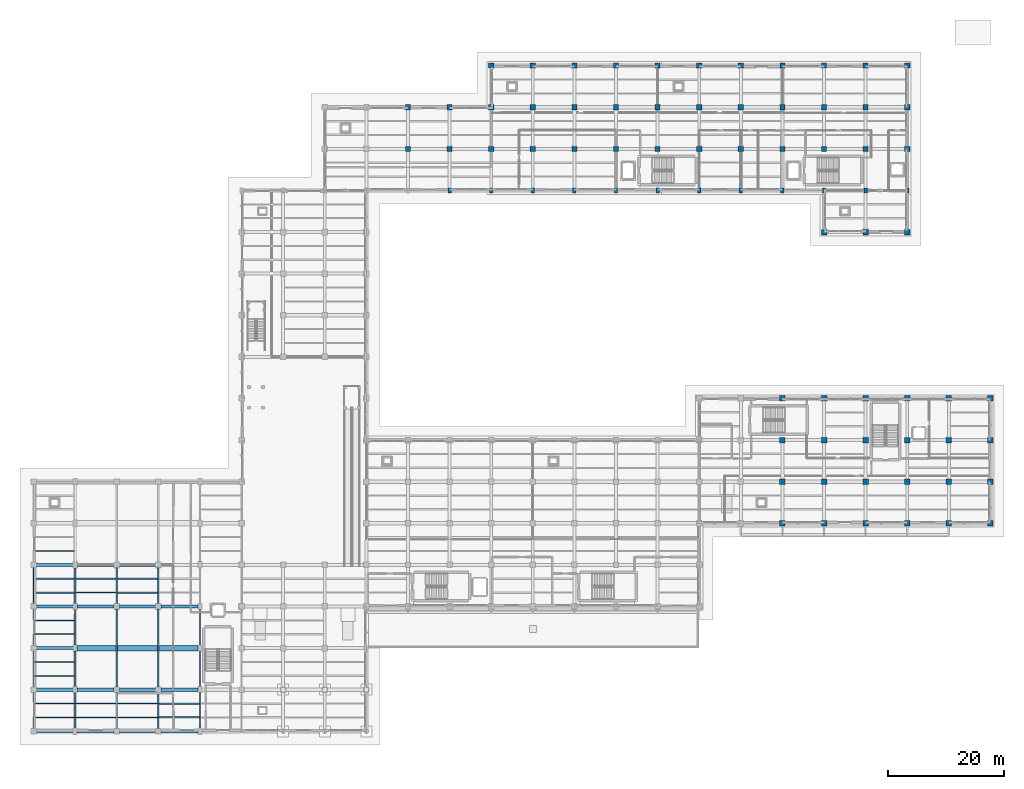
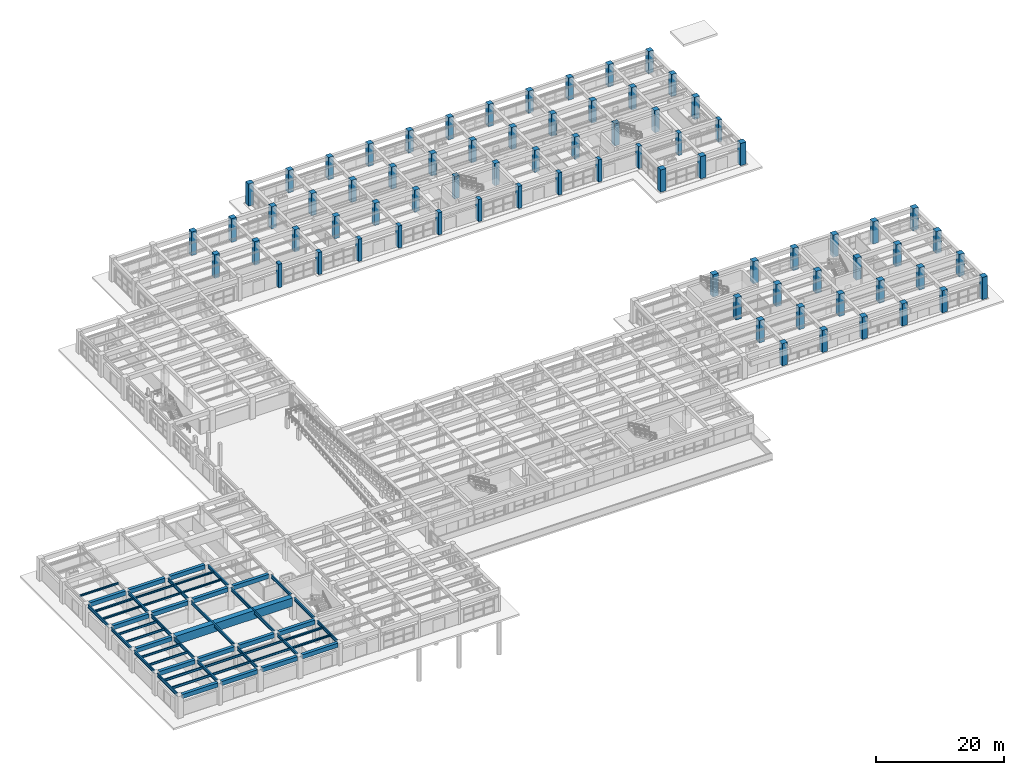
# One storey, part 5 of 64: 76 columns, 53 beams.
"""IFC4 building model written with IfcOpenShell, lengths in metres."""

from ifc_helpers import new_model, si_unit, direction, frame, origin, origin_2d, place, context, subcontext, project, spatial, rectangle, i_section, extrude, material, material_profile, profile_set, type_object, element, save


model = new_model("IFC4")

# Units and contexts
model_context = context("Model", 3, precision=1e-05, world=origin(), true_north=direction((0.0, 1.0)))
body_context = subcontext(model_context, "Body", "Model", "MODEL_VIEW")
ifc_project = project(units=[si_unit("LENGTHUNIT", "METRE"), si_unit("AREAUNIT", "SQUARE_METRE"), si_unit("VOLUMEUNIT", "CUBIC_METRE"), si_unit("PLANEANGLEUNIT", "RADIAN"), si_unit("MASSUNIT", "GRAM", prefix="KILO")], contexts=[model_context])

# Site, building, storey
site_placement = place(None, origin())
site = spatial("IfcSite", under=ifc_project, at=site_placement, CompositionType="ELEMENT")
building_placement = place(site_placement, origin())
building = spatial("IfcBuilding", under=site, at=building_placement, Name="Solenvale Faculty of Natural Sciences", CompositionType="ELEMENT")
storey_placement = place(building_placement, origin())
storey = spatial("IfcBuildingStorey", under=building, at=storey_placement, Name="L00", CompositionType="ELEMENT", Elevation=0.0)

# Columns
ifc_material_1 = material(Name="Concrete 50 MPa", Category="concrete")
ifc_material_profile_1 = material_profile(ifc_material_1, rectangle(XDim=0.60009765625, YDim=0.89990234375, at=origin_2d()), Name="RC-COL-600x900")
ifc_profile_set_1 = profile_set([ifc_material_profile_1], Name="Concrete 50 MPa")
column_type_1 = type_object("IfcColumnType", Name="COL-RC-600x900", PredefinedType="COLUMN", material=ifc_profile_set_1)
column_placement = place(storey_placement, frame((72.0, 93.60009765625, 0.0), z_axis=(0.0, 0.0, 1.0), x_axis=(1.0, 0.0, 0.0)))
element("IfcColumn", 1, at=column_placement, inside=storey, type_object=column_type_1, Name="L00 Column (72.0, 93.6)", PredefinedType="COLUMN", context=body_context, shape_type="SweptSolid", body=[
    extrude(rectangle(XDim=0.60009765625, YDim=0.89990234375, at=origin_2d()), origin(), (0.0, 0.0, 1.0), 4.5),
])
for number, where, z_axis, x_axis, name in (
    (2, (79.199951171875, 93.60009765625, 0.0), (0.0, 0.0, 1.0), (1.0, 0.0, 0.0), "L00 Column (79.2, 93.6)"),
    (3, (86.39990234375, 93.60009765625, 0.0), (0.0, 0.0, 1.0), (1.0, 0.0, 0.0), "L00 Column (86.4, 93.6)"),
    (4, (93.60009765625, 93.60009765625, 0.0), (0.0, 0.0, 1.0), (1.0, 0.0, 0.0), "L00 Column (93.6, 93.6)"),
    (5, (100.800048828125, 93.60009765625, 0.0), (0.0, 0.0, 1.0), (1.0, 0.0, 0.0), "L00 Column (100.8, 93.6)"),
    (6, (108.0, 93.60009765625, 0.0), (0.0, 0.0, 1.0), (1.0, 0.0, 0.0), "L00 Column (108.0, 93.6)"),
    (7, (115.199951171875, 93.60009765625, 0.0), (0.0, 0.0, 1.0), (1.0, 0.0, 0.0), "L00 Column (115.2, 93.6)"),
    (8, (122.39990234375, 93.60009765625, 0.0), (0.0, 0.0, 1.0), (1.0, 0.0, 0.0), "L00 Column (122.4, 93.6)"),
    (9, (129.60009765625, 93.60009765625, 0.0), (0.0, 0.0, 1.0), (1.0, 0.0, 0.0), "L00 Column (129.6, 93.6)"),
    (10, (136.800048828125, 93.60009765625, 0.0), (0.0, 0.0, 1.0), (1.0, 0.0, 0.0), "L00 Column (136.8, 93.6)"),
    (11, (144.0, 93.60009765625, 0.0), (0.0, 0.0, 1.0), (1.0, 0.0, 0.0), "L00 Column (144.0, 93.6)"),
    (12, (151.199951171875, 93.60009765625, 0.0), (0.0, 0.0, 1.0), (1.0, 0.0, 0.0), "L00 Column (151.2, 93.6)"),
):
    element("IfcColumn", number, at=place(storey_placement, frame(where, z_axis=z_axis, x_axis=x_axis)), inside=storey, type_object=column_type_1, Name=name, PredefinedType="COLUMN", context=body_context, shape_type="SweptSolid", body=[
        extrude(rectangle(XDim=0.60009765625, YDim=0.89990234375, at=origin_2d()), origin(), (0.0, 0.0, 1.0), 4.219970703125),
    ])
ifc_material_profile_2 = material_profile(ifc_material_1, rectangle(XDim=0.89990234375, YDim=0.89990234375, at=origin_2d()), Name="RC-COL-900x900")
ifc_profile_set_2 = profile_set([ifc_material_profile_2], Name="Concrete 50 MPa")
column_type_2 = type_object("IfcColumnType", Name="COL-RC-900", PredefinedType="COLUMN", material=ifc_profile_set_2)
for number, where, z_axis, x_axis, name in (
    (13, (64.800048828125, 100.800048828125, 0.0), (0.0, 0.0, 1.0), (1.0, 0.0, 0.0), "L00 Column (64.8, 100.8)"),
    (14, (64.800048828125, 108.0, 0.0), (0.0, 0.0, 1.0), (1.0, 0.0, 0.0), "L00 Column (64.8, 108.0)"),
    (15, (72.0, 100.800048828125, 0.0), (0.0, 0.0, 1.0), (1.0, 0.0, 0.0), "L00 Column (72.0, 100.8)"),
    (16, (72.0, 108.0, 0.0), (0.0, 0.0, 1.0), (1.0, 0.0, 0.0), "L00 Column (72.0, 108.0)"),
):
    element("IfcColumn", number, at=place(storey_placement, frame(where, z_axis=z_axis, x_axis=x_axis)), inside=storey, type_object=column_type_2, Name=name, PredefinedType="COLUMN", context=body_context, shape_type="SweptSolid", body=[
        extrude(rectangle(XDim=0.89990234375, YDim=0.89990234375, at=origin_2d()), origin(), (0.0, 0.0, 1.0), 4.5),
    ])
for number, where, z_axis, x_axis, name in (
    (17, (79.199951171875, 100.800048828125, 0.0), (0.0, 0.0, 1.0), (1.0, 0.0, 0.0), "L00 Column (79.2, 100.8)"),
    (18, (79.199951171875, 108.0, 0.0), (0.0, 0.0, 1.0), (1.0, 0.0, 0.0), "L00 Column (79.2, 108.0)"),
    (19, (79.199951171875, 115.199951171875, 0.0), (0.0, 0.0, 1.0), (1.0, 0.0, 0.0), "L00 Column (79.2, 115.2)"),
    (20, (86.39990234375, 100.800048828125, 0.0), (0.0, 0.0, 1.0), (1.0, 0.0, 0.0), "L00 Column (86.4, 100.8)"),
    (21, (86.39990234375, 108.0, 0.0), (0.0, 0.0, 1.0), (1.0, 0.0, 0.0), "L00 Column (86.4, 108.0)"),
    (22, (86.39990234375, 115.199951171875, 0.0), (0.0, 0.0, 1.0), (1.0, 0.0, 0.0), "L00 Column (86.4, 115.2)"),
    (23, (93.60009765625, 100.800048828125, 0.0), (0.0, 0.0, 1.0), (1.0, 0.0, 0.0), "L00 Column (93.6, 100.8)"),
    (24, (93.60009765625, 108.0, 0.0), (0.0, 0.0, 1.0), (1.0, 0.0, 0.0), "L00 Column (93.6, 108.0)"),
    (25, (93.60009765625, 115.199951171875, 0.0), (0.0, 0.0, 1.0), (1.0, 0.0, 0.0), "L00 Column (93.6, 115.2)"),
    (26, (100.800048828125, 100.800048828125, 0.0), (0.0, 0.0, 1.0), (1.0, 0.0, 0.0), "L00 Column (100.8, 100.8)"),
    (27, (100.800048828125, 108.0, 0.0), (0.0, 0.0, 1.0), (1.0, 0.0, 0.0), "L00 Column (100.8, 108.0)"),
    (28, (100.800048828125, 115.199951171875, 0.0), (0.0, 0.0, 1.0), (1.0, 0.0, 0.0), "L00 Column (100.8, 115.2)"),
    (29, (108.0, 100.800048828125, 0.0), (0.0, 0.0, 1.0), (1.0, 0.0, 0.0), "L00 Column (108.0, 100.8)"),
    (30, (108.0, 108.0, 0.0), (0.0, 0.0, 1.0), (1.0, 0.0, 0.0), "L00 Column (108.0, 108.0)"),
    (31, (108.0, 115.199951171875, 0.0), (0.0, 0.0, 1.0), (1.0, 0.0, 0.0), "L00 Column (108.0, 115.2)"),
    (32, (115.199951171875, 100.800048828125, 0.0), (0.0, 0.0, 1.0), (1.0, 0.0, 0.0), "L00 Column (115.2, 100.8)"),
    (33, (115.199951171875, 108.0, 0.0), (0.0, 0.0, 1.0), (1.0, 0.0, 0.0), "L00 Column (115.2, 108.0)"),
    (34, (115.199951171875, 115.199951171875, 0.0), (0.0, 0.0, 1.0), (1.0, 0.0, 0.0), "L00 Column (115.2, 115.2)"),
    (35, (122.39990234375, 100.800048828125, 0.0), (0.0, 0.0, 1.0), (1.0, 0.0, 0.0), "L00 Column (122.4, 100.8)"),
    (36, (122.39990234375, 108.0, 0.0), (0.0, 0.0, 1.0), (1.0, 0.0, 0.0), "L00 Column (122.4, 108.0)"),
    (37, (122.39990234375, 115.199951171875, 0.0), (0.0, 0.0, 1.0), (1.0, 0.0, 0.0), "L00 Column (122.4, 115.2)"),
    (38, (129.60009765625, 100.800048828125, 0.0), (0.0, 0.0, 1.0), (1.0, 0.0, 0.0), "L00 Column (129.6, 100.8)"),
    (39, (129.60009765625, 108.0, 0.0), (0.0, 0.0, 1.0), (1.0, 0.0, 0.0), "L00 Column (129.6, 108.0)"),
    (40, (129.60009765625, 115.199951171875, 0.0), (0.0, 0.0, 1.0), (1.0, 0.0, 0.0), "L00 Column (129.6, 115.2)"),
    (41, (136.800048828125, 100.800048828125, 0.0), (0.0, 0.0, 1.0), (1.0, 0.0, 0.0), "L00 Column (136.8, 100.8)"),
    (42, (136.800048828125, 108.0, 0.0), (0.0, 0.0, 1.0), (1.0, 0.0, 0.0), "L00 Column (136.8, 108.0)"),
    (43, (136.800048828125, 115.199951171875, 0.0), (0.0, 0.0, 1.0), (1.0, 0.0, 0.0), "L00 Column (136.8, 115.2)"),
    (44, (144.0, 100.800048828125, 0.0), (0.0, 0.0, 1.0), (1.0, 0.0, 0.0), "L00 Column (144.0, 100.8)"),
    (45, (144.0, 108.0, 0.0), (0.0, 0.0, 1.0), (1.0, 0.0, 0.0), "L00 Column (144.0, 108.0)"),
    (46, (144.0, 115.199951171875, 0.0), (0.0, 0.0, 1.0), (1.0, 0.0, 0.0), "L00 Column (144.0, 115.2)"),
    (47, (151.199951171875, 100.800048828125, 0.0), (0.0, 0.0, 1.0), (1.0, 0.0, 0.0), "L00 Column (151.2, 100.8)"),
    (48, (151.199951171875, 108.0, 0.0), (0.0, 0.0, 1.0), (1.0, 0.0, 0.0), "L00 Column (151.2, 108.0)"),
    (49, (151.199951171875, 115.199951171875, 0.0), (0.0, 0.0, 1.0), (1.0, 0.0, 0.0), "L00 Column (151.2, 115.2)"),
):
    element("IfcColumn", number, at=place(storey_placement, frame(where, z_axis=z_axis, x_axis=x_axis)), inside=storey, type_object=column_type_2, Name=name, PredefinedType="COLUMN", context=body_context, shape_type="SweptSolid", body=[
        extrude(rectangle(XDim=0.89990234375, YDim=0.89990234375, at=origin_2d()), origin(), (0.0, 0.0, 1.0), 4.219970703125),
    ])
ifc_material_profile_3 = material_profile(ifc_material_1, rectangle(XDim=0.949951171875, YDim=0.949951171875, at=origin_2d()), Name="RC-COL-950x950")
ifc_profile_set_3 = profile_set([ifc_material_profile_3], Name="Concrete 50 MPa")
column_type_3 = type_object("IfcColumnType", Name="COL-RC-950", PredefinedType="COLUMN", material=ifc_profile_set_3)
for number, where, z_axis, x_axis, name in (
    (50, (129.60009765625, 36.0, 0.0), (0.0, 0.0, 1.0), (1.0, 0.0, 0.0), "L00 Column (129.6, 36.0)"),
    (51, (129.60009765625, 43.199951171875, 0.0), (0.0, 0.0, 1.0), (1.0, 0.0, 0.0), "L00 Column (129.6, 43.2)"),
    (52, (129.60009765625, 50.39990234375, 0.0), (0.0, 0.0, 1.0), (1.0, 0.0, 0.0), "L00 Column (129.6, 50.4)"),
    (53, (129.60009765625, 57.60009765625, 0.0), (0.0, 0.0, 1.0), (1.0, 0.0, 0.0), "L00 Column (129.6, 57.6)"),
    (54, (136.800048828125, 36.0, 0.0), (0.0, 0.0, 1.0), (1.0, 0.0, 0.0), "L00 Column (136.8, 36.0)"),
    (55, (136.800048828125, 43.199951171875, 0.0), (0.0, 0.0, 1.0), (1.0, 0.0, 0.0), "L00 Column (136.8, 43.2)"),
    (56, (136.800048828125, 50.39990234375, 0.0), (0.0, 0.0, 1.0), (1.0, 0.0, 0.0), "L00 Column (136.8, 50.4)"),
    (57, (136.800048828125, 57.60009765625, 0.0), (0.0, 0.0, 1.0), (1.0, 0.0, 0.0), "L00 Column (136.8, 57.6)"),
    (58, (136.800048828125, 86.39990234375, 0.0), (0.0, 0.0, 1.0), (1.0, 0.0, 0.0), "L00 Column (136.8, 86.4)"),
    (59, (144.0, 36.0, 0.0), (0.0, 0.0, 1.0), (1.0, 0.0, 0.0), "L00 Column (144.0, 36.0)"),
    (60, (144.0, 43.199951171875, 0.0), (0.0, 0.0, 1.0), (1.0, 0.0, 0.0), "L00 Column (144.0, 43.2)"),
    (61, (144.0, 50.39990234375, 0.0), (0.0, 0.0, 1.0), (1.0, 0.0, 0.0), "L00 Column (144.0, 50.4)"),
    (62, (144.0, 57.60009765625, 0.0), (0.0, 0.0, 1.0), (1.0, 0.0, 0.0), "L00 Column (144.0, 57.6)"),
    (63, (144.0, 86.39990234375, 0.0), (0.0, 0.0, 1.0), (1.0, 0.0, 0.0), "L00 Column (144.0, 86.4)"),
    (64, (151.199951171875, 36.0, 0.0), (0.0, 0.0, 1.0), (1.0, 0.0, 0.0), "L00 Column (151.2, 36.0)"),
    (65, (151.199951171875, 43.199951171875, 0.0), (0.0, 0.0, 1.0), (1.0, 0.0, 0.0), "L00 Column (151.2, 43.2)"),
    (66, (151.199951171875, 50.39990234375, 0.0), (0.0, 0.0, 1.0), (1.0, 0.0, 0.0), "L00 Column (151.2, 50.4)"),
    (67, (151.199951171875, 57.60009765625, 0.0), (0.0, 0.0, 1.0), (1.0, 0.0, 0.0), "L00 Column (151.2, 57.6)"),
    (68, (151.199951171875, 86.39990234375, 0.0), (0.0, 0.0, 1.0), (1.0, 0.0, 0.0), "L00 Column (151.2, 86.4)"),
    (69, (158.39990234375, 36.0, 0.0), (0.0, 0.0, 1.0), (1.0, 0.0, 0.0), "L00 Column (158.4, 36.0)"),
    (70, (158.39990234375, 43.199951171875, 0.0), (0.0, 0.0, 1.0), (1.0, 0.0, 0.0), "L00 Column (158.4, 43.2)"),
    (71, (158.39990234375, 50.39990234375, 0.0), (0.0, 0.0, 1.0), (1.0, 0.0, 0.0), "L00 Column (158.4, 50.4)"),
    (72, (158.39990234375, 57.60009765625, 0.0), (0.0, 0.0, 1.0), (1.0, 0.0, 0.0), "L00 Column (158.4, 57.6)"),
    (73, (165.60009765625, 36.0, 0.0), (0.0, 0.0, 1.0), (1.0, 0.0, 0.0), "L00 Column (165.6, 36.0)"),
    (74, (165.60009765625, 43.199951171875, 0.0), (0.0, 0.0, 1.0), (1.0, 0.0, 0.0), "L00 Column (165.6, 43.2)"),
    (75, (165.60009765625, 50.39990234375, 0.0), (0.0, 0.0, 1.0), (1.0, 0.0, 0.0), "L00 Column (165.6, 50.4)"),
    (76, (165.60009765625, 57.60009765625, 0.0), (0.0, 0.0, 1.0), (1.0, 0.0, 0.0), "L00 Column (165.6, 57.6)"),
):
    element("IfcColumn", number, at=place(storey_placement, frame(where, z_axis=z_axis, x_axis=x_axis)), inside=storey, type_object=column_type_3, Name=name, PredefinedType="COLUMN", context=body_context, shape_type="SweptSolid", body=[
        extrude(rectangle(XDim=0.949951171875, YDim=0.949951171875, at=origin_2d()), origin(), (0.0, 0.0, 1.0), 4.219970703125),
    ])

# Beams
ifc_material_2 = material(Name="Concrete 40 MPa", Category="concrete")
ifc_material_profile_4 = material_profile(ifc_material_2, rectangle(XDim=0.550048828125, YDim=0.800048828125, at=origin_2d()), Name="RC-BM-550x800")
ifc_profile_set_4 = profile_set([ifc_material_profile_4], Name="Concrete 40 MPa")
beam_type_1 = type_object("IfcBeamType", Name="BM-RC-550x800", PredefinedType="BEAM", material=ifc_profile_set_4)
for number, where, z_axis, x_axis, name in (
    (77, (0.455078125, 0.0, 3.820068359375), (1.0, 0.0, 0.0), (0.0, 1.0, 0.0), "L00 X-Girder Y0.0 (0.0..7.2)"),
    (78, (7.530029296875, 0.0, 3.820068359375), (1.0, 0.0, 0.0), (0.0, 1.0, 0.0), "L00 X-Girder Y0.0 (7.2..14.4)"),
):
    element("IfcBeam", number, at=place(storey_placement, frame(where, z_axis=z_axis, x_axis=x_axis)), inside=storey, type_object=beam_type_1, Name=name, PredefinedType="BEAM", context=body_context, shape_type="SweptSolid", body=[
        extrude(rectangle(XDim=0.550048828125, YDim=0.800048828125, at=origin_2d()), origin(), (0.0, 0.0, 1.0), 6.4150390625),
    ])
beam_1_placement = place(storey_placement, frame((14.85498046875, 0.0, 3.820068359375), z_axis=(1.0, 0.0, 0.0), x_axis=(0.0, 1.0, 0.0)))
element("IfcBeam", 79, at=beam_1_placement, inside=storey, type_object=beam_type_1, Name="L00 X-Girder Y0.0 (14.4..21.6)", PredefinedType="BEAM", context=body_context, shape_type="SweptSolid", body=[
    extrude(rectangle(XDim=0.550048828125, YDim=0.800048828125, at=origin_2d()), origin(), (0.0, 0.0, 1.0), 6.2900390625),
])
for number, where, z_axis, x_axis, name in (
    (80, (22.054931640625, 0.0, 3.820068359375), (1.0, 0.0, 0.0), (0.0, 1.0, 0.0), "L00 X-Girder Y0.0 (21.6..28.8)"),
    (81, (0.455078125, 7.199951171875, 3.820068359375), (1.0, 0.0, 0.0), (0.0, 1.0, 0.0), "L00 X-Girder Y7.2 (0.0..7.2)"),
    (82, (7.530029296875, 7.199951171875, 3.820068359375), (1.0, 0.0, 0.0), (0.0, 1.0, 0.0), "L00 X-Girder Y7.2 (7.2..14.4)"),
):
    element("IfcBeam", number, at=place(storey_placement, frame(where, z_axis=z_axis, x_axis=x_axis)), inside=storey, type_object=beam_type_1, Name=name, PredefinedType="BEAM", context=body_context, shape_type="SweptSolid", body=[
        extrude(rectangle(XDim=0.550048828125, YDim=0.800048828125, at=origin_2d()), origin(), (0.0, 0.0, 1.0), 6.4150390625),
    ])
beam_2_placement = place(storey_placement, frame((14.85498046875, 7.199951171875, 3.820068359375), z_axis=(1.0, 0.0, 0.0), x_axis=(0.0, 1.0, 0.0)))
element("IfcBeam", 83, at=beam_2_placement, inside=storey, type_object=beam_type_1, Name="L00 X-Girder Y7.2 (14.4..21.6)", PredefinedType="BEAM", context=body_context, shape_type="SweptSolid", body=[
    extrude(rectangle(XDim=0.550048828125, YDim=0.800048828125, at=origin_2d()), origin(), (0.0, 0.0, 1.0), 6.2900390625),
])
for number, where, z_axis, x_axis, name in (
    (84, (22.054931640625, 7.199951171875, 3.820068359375), (1.0, 0.0, 0.0), (0.0, 1.0, 0.0), "L00 X-Girder Y7.2 (21.6..28.8)"),
    (85, (0.455078125, 14.39990234375, 3.820068359375), (1.0, 0.0, 0.0), (0.0, 1.0, 0.0), "L00 X-Girder Y14.4 (0.0..7.2)"),
    (86, (0.455078125, 21.60009765625, 3.820068359375), (1.0, 0.0, 0.0), (0.0, 1.0, 0.0), "L00 X-Girder Y21.6 (0.0..7.2)"),
    (87, (7.530029296875, 21.60009765625, 3.820068359375), (1.0, 0.0, 0.0), (0.0, 1.0, 0.0), "L00 X-Girder Y21.6 (7.2..14.4)"),
):
    element("IfcBeam", number, at=place(storey_placement, frame(where, z_axis=z_axis, x_axis=x_axis)), inside=storey, type_object=beam_type_1, Name=name, PredefinedType="BEAM", context=body_context, shape_type="SweptSolid", body=[
        extrude(rectangle(XDim=0.550048828125, YDim=0.800048828125, at=origin_2d()), origin(), (0.0, 0.0, 1.0), 6.4150390625),
    ])
beam_3_placement = place(storey_placement, frame((14.85498046875, 21.60009765625, 3.820068359375), z_axis=(1.0, 0.0, 0.0), x_axis=(0.0, 1.0, 0.0)))
element("IfcBeam", 88, at=beam_3_placement, inside=storey, type_object=beam_type_1, Name="L00 X-Girder Y21.6 (14.4..21.6)", PredefinedType="BEAM", context=body_context, shape_type="SweptSolid", body=[
    extrude(rectangle(XDim=0.550048828125, YDim=0.800048828125, at=origin_2d()), origin(), (0.0, 0.0, 1.0), 6.2900390625),
])
for number, where, z_axis, x_axis, name in (
    (89, (22.054931640625, 21.60009765625, 3.820068359375), (1.0, 0.0, 0.0), (0.0, 1.0, 0.0), "L00 X-Girder Y21.6 (21.6..28.8)"),
    (90, (0.455078125, 28.800048828125, 3.820068359375), (1.0, 0.0, 0.0), (0.0, 1.0, 0.0), "L00 X-Girder Y28.8 (0.0..7.2)"),
    (91, (7.530029296875, 28.800048828125, 3.820068359375), (1.0, 0.0, 0.0), (0.0, 1.0, 0.0), "L00 X-Girder Y28.8 (7.2..14.4)"),
):
    element("IfcBeam", number, at=place(storey_placement, frame(where, z_axis=z_axis, x_axis=x_axis)), inside=storey, type_object=beam_type_1, Name=name, PredefinedType="BEAM", context=body_context, shape_type="SweptSolid", body=[
        extrude(rectangle(XDim=0.550048828125, YDim=0.800048828125, at=origin_2d()), origin(), (0.0, 0.0, 1.0), 6.4150390625),
    ])
beam_4_placement = place(storey_placement, frame((14.85498046875, 28.800048828125, 3.820068359375), z_axis=(1.0, 0.0, 0.0), x_axis=(0.0, 1.0, 0.0)))
element("IfcBeam", 92, at=beam_4_placement, inside=storey, type_object=beam_type_1, Name="L00 X-Girder Y28.8 (14.4..21.6)", PredefinedType="BEAM", context=body_context, shape_type="SweptSolid", body=[
    extrude(rectangle(XDim=0.550048828125, YDim=0.800048828125, at=origin_2d()), origin(), (0.0, 0.0, 1.0), 6.2900390625),
])
ifc_material_3 = material(Name="Steel S355", Category="steel")
ifc_material_profile_5 = material_profile(ifc_material_3, i_section(OverallWidth=0.25390625, OverallDepth=0.305908203125, WebThickness=0.0087890625, FlangeThickness=0.0146484375, FilletRadius=0.014892578125, at=origin_2d()), Name="W310x79")
ifc_profile_set_5 = profile_set([ifc_material_profile_5], Name="Steel S355")
beam_type_2 = type_object("IfcBeamType", Name="BM-STL-W310x79", PredefinedType="JOIST", material=ifc_profile_set_5)
for number, where, z_axis, x_axis, name in (
    (93, (14.4951171875, 24.0, 4.06689453125), (1.0, 0.0, 0.0), (0.0, 1.0, 0.0), "L00 Composite Floor Joist (3,4).1"),
    (94, (14.4951171875, 26.39990234375, 4.06689453125), (1.0, 0.0, 0.0), (0.0, 1.0, 0.0), "L00 Composite Floor Joist (3,4).2"),
):
    element("IfcBeam", number, at=place(storey_placement, frame(where, z_axis=z_axis, x_axis=x_axis)), inside=storey, type_object=beam_type_2, Name=name, PredefinedType="JOIST", context=body_context, shape_type="SweptSolid", body=[
        extrude(i_section(OverallWidth=0.25390625, OverallDepth=0.305908203125, WebThickness=0.0087890625, FlangeThickness=0.0146484375, FilletRadius=0.014892578125, at=origin_2d()), origin(), (0.0, 0.0, 1.0), 7.010986328125),
    ])
ifc_material_profile_6 = material_profile(ifc_material_3, i_section(OverallWidth=0.2548828125, OverallDepth=0.35693359375, WebThickness=0.010498046875, FlangeThickness=0.018310546875, FilletRadius=0.014892578125, at=origin_2d()), Name="W360x101")
ifc_profile_set_6 = profile_set([ifc_material_profile_6], Name="Steel S355")
beam_type_3 = type_object("IfcBeamType", Name="BM-STL-W360x101", PredefinedType="JOIST", material=ifc_profile_set_6)
for number, where, z_axis, x_axis, name in (
    (95, (0.094970703125, 24.0, 4.04150390625), (1.0, 0.0, 0.0), (0.0, 1.0, 0.0), "L00 Composite Floor Joist (1,4).1"),
    (96, (0.094970703125, 26.39990234375, 4.04150390625), (1.0, 0.0, 0.0), (0.0, 1.0, 0.0), "L00 Composite Floor Joist (1,4).2"),
    (97, (21.695068359375, 2.39990234375, 4.04150390625), (1.0, 0.0, 0.0), (0.0, 1.0, 0.0), "L00 Composite Floor Joist (4,1).1"),
    (98, (21.695068359375, 4.800048828125, 4.04150390625), (1.0, 0.0, 0.0), (0.0, 1.0, 0.0), "L00 Composite Floor Joist (4,1).2"),
):
    element("IfcBeam", number, at=place(storey_placement, frame(where, z_axis=z_axis, x_axis=x_axis)), inside=storey, type_object=beam_type_3, Name=name, PredefinedType="JOIST", context=body_context, shape_type="SweptSolid", body=[
        extrude(i_section(OverallWidth=0.2548828125, OverallDepth=0.35693359375, WebThickness=0.010498046875, FlangeThickness=0.018310546875, FilletRadius=0.014892578125, at=origin_2d()), origin(), (0.0, 0.0, 1.0), 7.010986328125),
    ])
ifc_material_profile_7 = material_profile(ifc_material_3, i_section(OverallWidth=0.2041015625, OverallDepth=0.35009765625, WebThickness=0.008544921875, FlangeThickness=0.01513671875, FilletRadius=0.014892578125, at=origin_2d()), Name="W360x72")
ifc_profile_set_7 = profile_set([ifc_material_profile_7], Name="Steel S355")
beam_type_4 = type_object("IfcBeamType", Name="BM-STL-W360x72", PredefinedType="JOIST", material=ifc_profile_set_7)
for number, where, z_axis, x_axis, name in (
    (99, (0.094970703125, 31.199951171875, 4.044921875), (1.0, 0.0, 0.0), (0.0, 1.0, 0.0), "L00 Composite Floor Joist (1,5).1"),
    (100, (7.294921875, 24.0, 4.044921875), (1.0, 0.0, 0.0), (0.0, 1.0, 0.0), "L00 Composite Floor Joist (2,4).1"),
    (101, (7.294921875, 26.39990234375, 4.044921875), (1.0, 0.0, 0.0), (0.0, 1.0, 0.0), "L00 Composite Floor Joist (2,4).2"),
):
    element("IfcBeam", number, at=place(storey_placement, frame(where, z_axis=z_axis, x_axis=x_axis)), inside=storey, type_object=beam_type_4, Name=name, PredefinedType="JOIST", context=body_context, shape_type="SweptSolid", body=[
        extrude(i_section(OverallWidth=0.2041015625, OverallDepth=0.35009765625, WebThickness=0.008544921875, FlangeThickness=0.01513671875, FilletRadius=0.014892578125, at=origin_2d()), origin(), (0.0, 0.0, 1.0), 7.010986328125),
    ])
ifc_material_profile_8 = material_profile(ifc_material_3, i_section(OverallWidth=0.178955078125, OverallDepth=0.409912109375, WebThickness=0.0087890625, FlangeThickness=0.014404296875, FilletRadius=0.01611328125, at=origin_2d()), Name="W410x67")
ifc_profile_set_8 = profile_set([ifc_material_profile_8], Name="Steel S355")
beam_type_5 = type_object("IfcBeamType", Name="BM-STL-W410x67", PredefinedType="JOIST", material=ifc_profile_set_8)
for number, where, z_axis, x_axis, name in (
    (102, (0.094970703125, 16.800048828125, 4.014892578125), (1.0, 0.0, 0.0), (0.0, 1.0, 0.0), "L00 Composite Floor Joist (1,3).1"),
    (103, (0.094970703125, 19.199951171875, 4.014892578125), (1.0, 0.0, 0.0), (0.0, 1.0, 0.0), "L00 Composite Floor Joist (1,3).2"),
    (104, (14.4951171875, 2.39990234375, 4.014892578125), (1.0, 0.0, 0.0), (0.0, 1.0, 0.0), "L00 Composite Floor Joist (3,1).1"),
    (105, (14.4951171875, 4.800048828125, 4.014892578125), (1.0, 0.0, 0.0), (0.0, 1.0, 0.0), "L00 Composite Floor Joist (3,1).2"),
):
    element("IfcBeam", number, at=place(storey_placement, frame(where, z_axis=z_axis, x_axis=x_axis)), inside=storey, type_object=beam_type_5, Name=name, PredefinedType="JOIST", context=body_context, shape_type="SweptSolid", body=[
        extrude(i_section(OverallWidth=0.178955078125, OverallDepth=0.409912109375, WebThickness=0.0087890625, FlangeThickness=0.014404296875, FilletRadius=0.01611328125, at=origin_2d()), origin(), (0.0, 0.0, 1.0), 7.010986328125),
    ])
ifc_material_profile_9 = material_profile(ifc_material_3, i_section(OverallWidth=0.180908203125, OverallDepth=0.4169921875, WebThickness=0.010986328125, FlangeThickness=0.018310546875, FilletRadius=0.01611328125, at=origin_2d()), Name="W410x85")
ifc_profile_set_9 = profile_set([ifc_material_profile_9], Name="Steel S355")
beam_type_6 = type_object("IfcBeamType", Name="BM-STL-W410x85", PredefinedType="JOIST", material=ifc_profile_set_9)
for number, where, z_axis, x_axis, name in (
    (106, (0.094970703125, 9.60009765625, 4.011474609375), (1.0, 0.0, 0.0), (0.0, 1.0, 0.0), "L00 Composite Floor Joist (1,2).1"),
    (107, (0.094970703125, 12.0, 4.011474609375), (1.0, 0.0, 0.0), (0.0, 1.0, 0.0), "L00 Composite Floor Joist (1,2).2"),
    (108, (7.294921875, 2.39990234375, 4.011474609375), (1.0, 0.0, 0.0), (0.0, 1.0, 0.0), "L00 Composite Floor Joist (2,1).1"),
    (109, (7.294921875, 4.800048828125, 4.011474609375), (1.0, 0.0, 0.0), (0.0, 1.0, 0.0), "L00 Composite Floor Joist (2,1).2"),
):
    element("IfcBeam", number, at=place(storey_placement, frame(where, z_axis=z_axis, x_axis=x_axis)), inside=storey, type_object=beam_type_6, Name=name, PredefinedType="JOIST", context=body_context, shape_type="SweptSolid", body=[
        extrude(i_section(OverallWidth=0.180908203125, OverallDepth=0.4169921875, WebThickness=0.010986328125, FlangeThickness=0.018310546875, FilletRadius=0.01611328125, at=origin_2d()), origin(), (0.0, 0.0, 1.0), 7.010986328125),
    ])
ifc_material_profile_10 = material_profile(ifc_material_3, i_section(OverallWidth=0.19091796875, OverallDepth=0.4599609375, WebThickness=0.010009765625, FlangeThickness=0.01611328125, FilletRadius=0.01806640625, at=origin_2d()), Name="W460x82")
ifc_profile_set_10 = profile_set([ifc_material_profile_10], Name="Steel S355")
beam_type_7 = type_object("IfcBeamType", Name="BM-STL-W460x82", PredefinedType="JOIST", material=ifc_profile_set_10)
for number, where, z_axis, x_axis, name in (
    (110, (0.094970703125, 2.39990234375, 3.989990234375), (1.0, 0.0, 0.0), (0.0, 1.0, 0.0), "L00 Composite Floor Joist (1,1).1"),
    (111, (0.094970703125, 4.800048828125, 3.989990234375), (1.0, 0.0, 0.0), (0.0, 1.0, 0.0), "L00 Composite Floor Joist (1,1).2"),
):
    element("IfcBeam", number, at=place(storey_placement, frame(where, z_axis=z_axis, x_axis=x_axis)), inside=storey, type_object=beam_type_7, Name=name, PredefinedType="JOIST", context=body_context, shape_type="SweptSolid", body=[
        extrude(i_section(OverallWidth=0.19091796875, OverallDepth=0.4599609375, WebThickness=0.010009765625, FlangeThickness=0.01611328125, FilletRadius=0.01806640625, at=origin_2d()), origin(), (0.0, 0.0, 1.0), 7.010986328125),
    ])
ifc_material_profile_11 = material_profile(ifc_material_3, i_section(OverallWidth=0.22900390625, OverallDepth=0.612060546875, WebThickness=0.011962890625, FlangeThickness=0.01953125, FilletRadius=0.01904296875, at=origin_2d()), Name="W610x125")
ifc_profile_set_11 = profile_set([ifc_material_profile_11], Name="Steel S355")
beam_type_8 = type_object("IfcBeamType", Name="BM-STL-W610x125", PredefinedType="BEAM", material=ifc_profile_set_11)
for number, where, z_axis, x_axis, name in (
    (112, (0.0, 0.455078125, 3.9140625), (0.0, 1.0, 0.0), (-1.0, 0.0, 0.0), "L00 Y-Girder X0.0 (0.0..7.2)"),
    (113, (0.0, 7.655029296875, 3.9140625), (0.0, 1.0, 0.0), (-1.0, 0.0, 0.0), "L00 Y-Girder X0.0 (7.2..14.4)"),
    (114, (0.0, 14.85498046875, 3.9140625), (0.0, 1.0, 0.0), (-1.0, 0.0, 0.0), "L00 Y-Girder X0.0 (14.4..21.6)"),
    (115, (0.0, 22.054931640625, 3.9140625), (0.0, 1.0, 0.0), (-1.0, 0.0, 0.0), "L00 Y-Girder X0.0 (21.6..28.8)"),
):
    element("IfcBeam", number, at=place(storey_placement, frame(where, z_axis=z_axis, x_axis=x_axis)), inside=storey, type_object=beam_type_8, Name=name, PredefinedType="BEAM", context=body_context, shape_type="SweptSolid", body=[
        extrude(i_section(OverallWidth=0.22900390625, OverallDepth=0.612060546875, WebThickness=0.011962890625, FlangeThickness=0.01953125, FilletRadius=0.01904296875, at=origin_2d()), origin(), (0.0, 0.0, 1.0), 6.2900390625),
    ])
beam_5_placement = place(storey_placement, frame((7.199951171875, 0.5048828125, 3.9140625), z_axis=(0.0, 1.0, 0.0), x_axis=(-1.0, 0.0, 0.0)))
element("IfcBeam", 116, at=beam_5_placement, inside=storey, type_object=beam_type_8, Name="L00 Y-Girder X7.2 (0.0..7.2)", PredefinedType="BEAM", context=body_context, shape_type="SweptSolid", body=[
    extrude(i_section(OverallWidth=0.22900390625, OverallDepth=0.612060546875, WebThickness=0.011962890625, FlangeThickness=0.01953125, FilletRadius=0.01904296875, at=origin_2d()), origin(), (0.0, 0.0, 1.0), 6.190185546875),
])
for number, where, z_axis, x_axis, name in (
    (117, (7.199951171875, 7.705078125, 3.9140625), (0.0, 1.0, 0.0), (-1.0, 0.0, 0.0), "L00 Y-Girder X7.2 (7.2..14.4)"),
    (118, (7.199951171875, 14.905029296875, 3.9140625), (0.0, 1.0, 0.0), (-1.0, 0.0, 0.0), "L00 Y-Girder X7.2 (14.4..21.6)"),
    (119, (7.199951171875, 22.10498046875, 3.9140625), (0.0, 1.0, 0.0), (-1.0, 0.0, 0.0), "L00 Y-Girder X7.2 (21.6..28.8)"),
):
    element("IfcBeam", number, at=place(storey_placement, frame(where, z_axis=z_axis, x_axis=x_axis)), inside=storey, type_object=beam_type_8, Name=name, PredefinedType="BEAM", context=body_context, shape_type="SweptSolid", body=[
        extrude(i_section(OverallWidth=0.22900390625, OverallDepth=0.612060546875, WebThickness=0.011962890625, FlangeThickness=0.01953125, FilletRadius=0.01904296875, at=origin_2d()), origin(), (0.0, 0.0, 1.0), 6.18994140625),
    ])
beam_6_placement = place(storey_placement, frame((14.39990234375, 0.455078125, 3.9140625), z_axis=(0.0, 1.0, 0.0), x_axis=(-1.0, 0.0, 0.0)))
element("IfcBeam", 120, at=beam_6_placement, inside=storey, type_object=beam_type_8, Name="L00 Y-Girder X14.4 (0.0..7.2)", PredefinedType="BEAM", context=body_context, shape_type="SweptSolid", body=[
    extrude(i_section(OverallWidth=0.22900390625, OverallDepth=0.612060546875, WebThickness=0.011962890625, FlangeThickness=0.01953125, FilletRadius=0.01904296875, at=origin_2d()), origin(), (0.0, 0.0, 1.0), 6.2900390625),
])
beam_7_placement = place(storey_placement, frame((14.39990234375, 7.655029296875, 3.9140625), z_axis=(0.0, 1.0, 0.0), x_axis=(-1.0, 0.0, 0.0)))
element("IfcBeam", 121, at=beam_7_placement, inside=storey, type_object=beam_type_8, Name="L00 Y-Girder X14.4 (7.2..21.6)", PredefinedType="BEAM", context=body_context, shape_type="SweptSolid", body=[
    extrude(i_section(OverallWidth=0.22900390625, OverallDepth=0.612060546875, WebThickness=0.011962890625, FlangeThickness=0.01953125, FilletRadius=0.01904296875, at=origin_2d()), origin(), (0.0, 0.0, 1.0), 13.489990234375),
])
for number, where, z_axis, x_axis, name in (
    (122, (14.39990234375, 22.054931640625, 3.9140625), (0.0, 1.0, 0.0), (-1.0, 0.0, 0.0), "L00 Y-Girder X14.4 (21.6..28.8)"),
    (123, (21.60009765625, 0.455078125, 3.9140625), (0.0, 1.0, 0.0), (-1.0, 0.0, 0.0), "L00 Y-Girder X21.6 (0.0..7.2)"),
):
    element("IfcBeam", number, at=place(storey_placement, frame(where, z_axis=z_axis, x_axis=x_axis)), inside=storey, type_object=beam_type_8, Name=name, PredefinedType="BEAM", context=body_context, shape_type="SweptSolid", body=[
        extrude(i_section(OverallWidth=0.22900390625, OverallDepth=0.612060546875, WebThickness=0.011962890625, FlangeThickness=0.01953125, FilletRadius=0.01904296875, at=origin_2d()), origin(), (0.0, 0.0, 1.0), 6.2900390625),
    ])
beam_8_placement = place(storey_placement, frame((21.60009765625, 7.655029296875, 3.9140625), z_axis=(0.0, 1.0, 0.0), x_axis=(-1.0, 0.0, 0.0)))
element("IfcBeam", 124, at=beam_8_placement, inside=storey, type_object=beam_type_8, Name="L00 Y-Girder X21.6 (7.2..21.6)", PredefinedType="BEAM", context=body_context, shape_type="SweptSolid", body=[
    extrude(i_section(OverallWidth=0.22900390625, OverallDepth=0.612060546875, WebThickness=0.011962890625, FlangeThickness=0.01953125, FilletRadius=0.01904296875, at=origin_2d()), origin(), (0.0, 0.0, 1.0), 13.489990234375),
])
beam_9_placement = place(storey_placement, frame((21.60009765625, 22.054931640625, 3.9140625), z_axis=(0.0, 1.0, 0.0), x_axis=(-1.0, 0.0, 0.0)))
element("IfcBeam", 125, at=beam_9_placement, inside=storey, type_object=beam_type_8, Name="L00 Y-Girder X21.6 (21.6..28.8)", PredefinedType="BEAM", context=body_context, shape_type="SweptSolid", body=[
    extrude(i_section(OverallWidth=0.22900390625, OverallDepth=0.612060546875, WebThickness=0.011962890625, FlangeThickness=0.01953125, FilletRadius=0.01904296875, at=origin_2d()), origin(), (0.0, 0.0, 1.0), 6.2900390625),
])
beam_10_placement = place(storey_placement, frame((28.800048828125, 0.5048828125, 3.9140625), z_axis=(0.0, 1.0, 0.0), x_axis=(-1.0, 0.0, 0.0)))
element("IfcBeam", 126, at=beam_10_placement, inside=storey, type_object=beam_type_8, Name="L00 Y-Girder X28.8 (0.0..7.2)", PredefinedType="BEAM", context=body_context, shape_type="SweptSolid", body=[
    extrude(i_section(OverallWidth=0.22900390625, OverallDepth=0.612060546875, WebThickness=0.011962890625, FlangeThickness=0.01953125, FilletRadius=0.01904296875, at=origin_2d()), origin(), (0.0, 0.0, 1.0), 6.190185546875),
])
for number, where, z_axis, x_axis, name in (
    (127, (28.800048828125, 7.705078125, 3.9140625), (0.0, 1.0, 0.0), (-1.0, 0.0, 0.0), "L00 Y-Girder X28.8 (7.2..14.4)"),
    (128, (28.800048828125, 14.905029296875, 3.9140625), (0.0, 1.0, 0.0), (-1.0, 0.0, 0.0), "L00 Y-Girder X28.8 (14.4..21.6)"),
):
    element("IfcBeam", number, at=place(storey_placement, frame(where, z_axis=z_axis, x_axis=x_axis)), inside=storey, type_object=beam_type_8, Name=name, PredefinedType="BEAM", context=body_context, shape_type="SweptSolid", body=[
        extrude(i_section(OverallWidth=0.22900390625, OverallDepth=0.612060546875, WebThickness=0.011962890625, FlangeThickness=0.01953125, FilletRadius=0.01904296875, at=origin_2d()), origin(), (0.0, 0.0, 1.0), 6.18994140625),
    ])
ifc_material_profile_12 = material_profile(ifc_material_1, rectangle(XDim=0.949951171875, YDim=1.60009765625, at=origin_2d()), Name="RC-TRG-950x1600")
ifc_profile_set_12 = profile_set([ifc_material_profile_12], Name="Concrete 50 MPa")
beam_type_9 = type_object("IfcBeamType", Name="BM-TRG-950x1600", PredefinedType="BEAM", material=ifc_profile_set_12)
beam_11_placement = place(storey_placement, frame((7.530029296875, 14.39990234375, 3.419921875), z_axis=(1.0, 0.0, 0.0), x_axis=(0.0, 1.0, 0.0)))
element("IfcBeam", 129, at=beam_11_placement, inside=storey, type_object=beam_type_9, Name="L00 Transfer Girder Y14.4 (7.2..28.8)", PredefinedType="BEAM", context=body_context, shape_type="SweptSolid", body=[
    extrude(rectangle(XDim=0.949951171875, YDim=1.60009765625, at=origin_2d()), origin(), (0.0, 0.0, 1.0), 20.93994140625),
])

save(model, "model.ifc")
